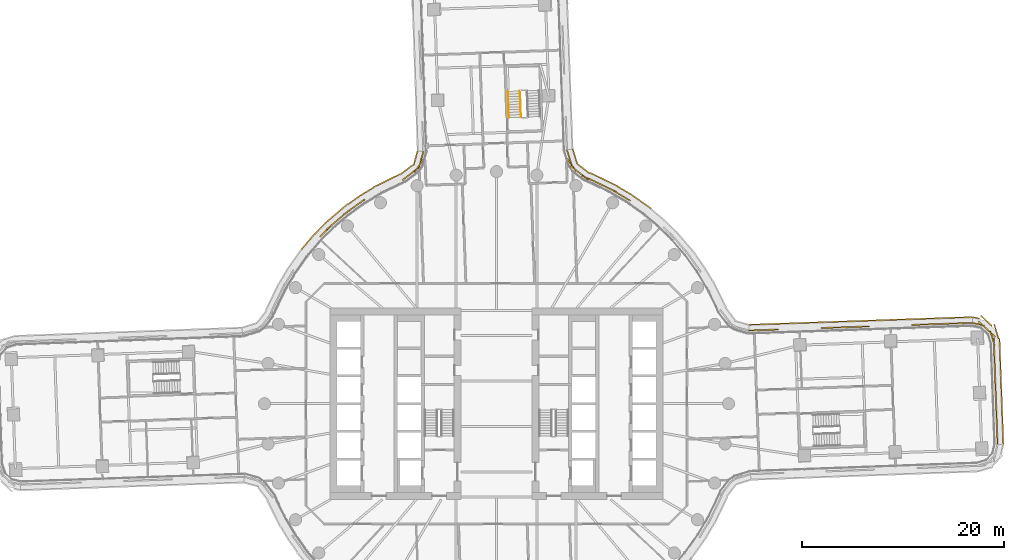
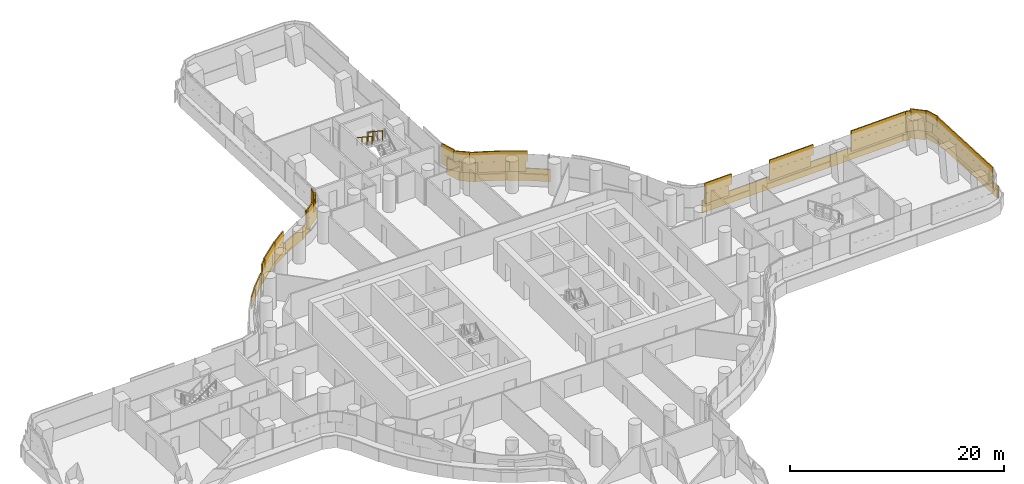
# One storey, part 30 of 31: 5 coverings, 2 railings.
"""IFC4 building model written with IfcOpenShell, lengths in metres."""

import ifcopenshell
import ifcopenshell.guid

model = None  # the IFC model being written
_history = None  # IfcOwnerHistory: only IFC2X3 demands one
_inside = {}  # id of a spatial element -> (the spatial element, [elements in it])
_under = {}  # id of a project, library or spatial element -> (it, [spatial elements below it])
_declared = {}  # id of a project -> (the project, [libraries it declares])
_typed = {}  # id of a type object -> (the type object, [elements of that type])
_made_of = {}  # id of a material, layer set ... -> (it, [elements and type objects made of it])


def new_model(schema):
    """Start an empty IFC model of exactly this schema.

    Asked for "IFC4X3", IfcOpenShell would pick the latest addendum, in which some entities
    have other attributes; the version numbers below select the first issue.
    IFC2X3 requires an IfcOwnerHistory on every rooted entity: one is made here for all.
    """
    global model, _history
    if schema == "IFC4X3":
        model = ifcopenshell.file(schema_version=(4, 3, 0, 0))
    else:
        model = ifcopenshell.file(schema=schema)
    _inside.clear()
    _under.clear()
    _declared.clear()
    _typed.clear()
    _made_of.clear()
    _history = None
    if model.schema == "IFC2X3":
        org = make("IfcOrganization", Name="unknown")
        user = make(
            "IfcPersonAndOrganization",
            ThePerson=make("IfcPerson", FamilyName="unknown"),
            TheOrganization=org,
        )
        app = make(
            "IfcApplication",
            ApplicationDeveloper=org,
            Version="unknown",
            ApplicationFullName="unknown",
            ApplicationIdentifier="unknown",
        )
        _history = make(
            "IfcOwnerHistory",
            OwningUser=user,
            OwningApplication=app,
            ChangeAction="ADDED",
            CreationDate=0,
        )
    return model


def make(cls, **values):
    """One entity of the class cls with the attributes given. An attribute that is None is left unset."""
    return model.create_entity(
        cls, **{name: value for name, value in values.items() if value is not None}
    )


def rooted(cls, **values):
    """An entity with a GlobalId (a new one), such as an element, a storey or a relation."""
    return make(cls, GlobalId=ifcopenshell.guid.new(), OwnerHistory=_history, **values)


def si_unit(unit_type, name, prefix=None):
    """IfcSIUnit, for example si_unit("LENGTHUNIT", "METRE", prefix="MILLI")."""
    return make("IfcSIUnit", UnitType=unit_type, Prefix=prefix, Name=name)


def assignment(units):
    """IfcUnitAssignment: the units of a project."""
    return None if units is None else make("IfcUnitAssignment", Units=units)


def point(xyz):
    """IfcCartesianPoint."""
    return None if xyz is None else make("IfcCartesianPoint", Coordinates=xyz)


def direction(xyz):
    """IfcDirection."""
    return None if xyz is None else make("IfcDirection", DirectionRatios=xyz)


def frame(location, z_axis=None, x_axis=None):
    """IfcAxis2Placement3D, a coordinate frame: its origin and axes. An axis left out is left unset."""
    return make(
        "IfcAxis2Placement3D",
        Location=point(location),
        Axis=direction(z_axis),
        RefDirection=direction(x_axis),
    )


def frame_2d(location, x_axis=None):
    """IfcAxis2Placement2D, a coordinate frame in the plane: its origin and x axis."""
    return make(
        "IfcAxis2Placement2D", Location=point(location), RefDirection=direction(x_axis)
    )


def origin():
    """The frame at (0, 0, 0) with its axes left unset."""
    return frame((0.0, 0.0, 0.0))


def origin_2d():
    """The frame at (0, 0) in the plane with its x axis left unset."""
    return frame_2d((0.0, 0.0))


def place(relative_to, where):
    """IfcLocalPlacement: puts the frame where relative to a parent placement (None: the world)."""
    return make(
        "IfcLocalPlacement", PlacementRelTo=relative_to, RelativePlacement=where
    )


def context(
    kind, dimensions, precision=None, world=None, true_north=None, identifier=None
):
    """IfcGeometricRepresentationContext, for example the 3D "Model" context."""
    return make(
        "IfcGeometricRepresentationContext",
        ContextIdentifier=identifier,
        ContextType=kind,
        CoordinateSpaceDimension=dimensions,
        Precision=precision,
        WorldCoordinateSystem=world,
        TrueNorth=true_north,
    )


def subcontext(parent, identifier, kind, view, scale=None):
    """IfcGeometricRepresentationSubContext, for example "Body" below "Model"."""
    return make(
        "IfcGeometricRepresentationSubContext",
        ContextIdentifier=identifier,
        ContextType=kind,
        ParentContext=parent,
        TargetScale=scale,
        TargetView=view,
    )


def project(units=None, contexts=None):
    """IfcProject with its units and contexts."""
    return rooted(
        "IfcProject",
        Name="project",
        RepresentationContexts=contexts,
        UnitsInContext=assignment(units),
    )


def spatial(cls, under=None, at=None, **own):
    """A site, building, storey or space (cls), placed at a placement, below another one or the project."""
    s = rooted(cls, ObjectPlacement=at, **own)
    if under is not None:
        _under.setdefault(under.id(), (under, []))[1].append(s)
    return s


def profile(cls, at=None, kind="AREA", **sizes):
    """A parametric profile (cls). Its sizes go by their IFC names, for example OverallWidth=200.0."""
    return make(cls, ProfileType=kind, Position=at, **sizes)


def rectangle(**sizes):
    """IfcRectangleProfileDef."""
    return profile("IfcRectangleProfileDef", **sizes)


def circle(**sizes):
    """IfcCircleProfileDef."""
    return profile("IfcCircleProfileDef", **sizes)


def extrude(swept, where, along, depth):
    """IfcExtrudedAreaSolid: the profile swept, set in the frame where, extruded along a direction by depth."""
    return make(
        "IfcExtrudedAreaSolid",
        SweptArea=swept,
        Position=where,
        ExtrudedDirection=direction(along),
        Depth=depth,
    )


def shape(context_of_items, identifier, shape_type, items):
    """IfcShapeRepresentation: the items that make up one representation, for example the "Body"."""
    return make(
        "IfcShapeRepresentation",
        ContextOfItems=context_of_items,
        RepresentationIdentifier=identifier,
        RepresentationType=shape_type,
        Items=items,
    )


def material(Name=None, Category=None):
    """IfcMaterial."""
    return make("IfcMaterial", Name=Name, Category=Category)


def layer(
    of_material, thickness, ventilated=None, Name=None, Category=None, Priority=None
):
    """IfcMaterialLayer: one layer of a wall or slab, of a material (None: an air gap)."""
    return make(
        "IfcMaterialLayer",
        Material=of_material,
        LayerThickness=thickness,
        IsVentilated=ventilated,
        Name=Name,
        Category=Category,
        Priority=Priority,
    )


def layer_set(layers, Name=None):
    """IfcMaterialLayerSet."""
    return make("IfcMaterialLayerSet", MaterialLayers=layers, LayerSetName=Name)


def made_of(thing, what):
    """Note that an element or type object is made of a material, layer set ...; save() writes the relation."""
    if what is not None:
        _made_of.setdefault(what.id(), (what, []))[1].append(thing)
    return thing


def type_object(cls, material=None, **own):
    """A type object (cls), such as IfcWallType, which elements share."""
    return made_of(rooted(cls, **own), material)


def element(
    cls,
    number,
    at=None,
    inside=None,
    cuts=None,
    type_object=None,
    material=None,
    context=None,
    identifier="Body",
    shape_type=None,
    held_by="IfcProductDefinitionShape",
    body=None,
    shapes=None,
    **own,
):
    """One element of the class cls, such as IfcWall. Its Tag is "e" and its number.

    at: its placement. inside: the storey or other place that contains it. cuts: it is an
    opening in that element (IfcRelVoidsElement). A single representation is given by context,
    identifier, shape_type and body (its items); several are given by shapes. held_by: the class
    of the entity that holds the representations. save() writes the other relations.
    """
    e = rooted(cls, Tag="e%d" % number, ObjectPlacement=at, **own)
    if body is not None:
        shapes = [shape(context, identifier, shape_type, body)]
    if shapes is not None:
        e.Representation = make(held_by, Representations=shapes)
    if inside is not None:
        _inside.setdefault(inside.id(), (inside, []))[1].append(e)
    if cuts is not None:
        rooted(
            "IfcRelVoidsElement", RelatingBuildingElement=cuts, RelatedOpeningElement=e
        )
    if type_object is not None:
        _typed.setdefault(type_object.id(), (type_object, []))[1].append(e)
    return made_of(e, material)


def aggregate(whole, parts):
    """IfcRelAggregates: a whole, such as a stair, and the parts it consists of."""
    return rooted("IfcRelAggregates", RelatingObject=whole, RelatedObjects=parts)


def save(model, path):
    """Write the relations noted so far, then the file.

    IfcRelAggregates (storeys below a building ...), IfcRelContainedInSpatialStructure (elements
    in a storey), IfcRelDefinesByType, IfcRelAssociatesMaterial and IfcRelDeclares: one each for
    every whole, place, type object, material and project.
    """
    for whole, parts in _under.values():
        aggregate(whole, parts)
    for where, things in _inside.values():
        rooted(
            "IfcRelContainedInSpatialStructure",
            RelatedElements=things,
            RelatingStructure=where,
        )
    for kind, things in _typed.values():
        rooted("IfcRelDefinesByType", RelatedObjects=things, RelatingType=kind)
    for what, things in _made_of.values():
        rooted("IfcRelAssociatesMaterial", RelatedObjects=things, RelatingMaterial=what)
    for by, libraries in _declared.values():
        rooted("IfcRelDeclares", RelatingContext=by, RelatedDefinitions=libraries)
    model.write(path)


model = new_model("IFC4")

# Units and contexts
model_context = context("Model", 3, precision=1e-05, world=origin(), true_north=direction((0.0, 1.0)))
body_context = subcontext(model_context, "Body", "Model", "MODEL_VIEW")
ifc_project = project(units=[si_unit("LENGTHUNIT", "METRE"), si_unit("AREAUNIT", "SQUARE_METRE"), si_unit("VOLUMEUNIT", "CUBIC_METRE"), si_unit("PLANEANGLEUNIT", "RADIAN"), si_unit("MASSUNIT", "GRAM", prefix="KILO")], contexts=[model_context])

# Site, building, storey
site_placement = place(None, origin())
site = spatial("IfcSite", under=ifc_project, at=site_placement, CompositionType="ELEMENT")
building_placement = place(site_placement, origin())
building = spatial("IfcBuilding", under=site, at=building_placement, Name="Tamarind Cross Interchange Tower", CompositionType="ELEMENT")
storey_placement = place(building_placement, frame((0.0, 0.0, 41.5)))
storey = spatial("IfcBuildingStorey", under=building, at=storey_placement, Name="L08", CompositionType="ELEMENT", Elevation=41.5)

# Railings
ifc_material_1 = material(Name="Stair guard")
railing_type_1 = type_object("IfcRailingType", Name="Stair guard", PredefinedType="GUARDRAIL", material=ifc_material_1)
railing_1_placement = place(storey_placement, frame((2.32373046875, 30.99072265625, 2.04541015625)))
element("IfcRailing", 1, at=railing_1_placement, inside=storey, type_object=railing_type_1, Name="L08 ST4 stair guard 3", PredefinedType="GUARDRAIL", context=body_context, shape_type="SweptSolid", body=[
    extrude(circle(Radius=0.02392578125, at=origin_2d()), frame((0.0, 0.0, 1.076171875), z_axis=(0.03046795916, -0.835748683852, 0.548266213535), x_axis=(0.999336145809, 0.036431685105, 0.0)), (0.0, 0.0, 1.0), 3.109130859375),
    extrude(circle(Radius=0.02099609375, at=origin_2d()), origin(), (0.0, 0.0, 1.0), 1.052001953125),
    extrude(circle(Radius=0.02099609375, at=origin_2d()), frame((0.031494140625, -0.8662109375, 0.568115234375)), (0.0, 0.0, 1.0), 1.052001953125),
    extrude(circle(Radius=0.02099609375, at=origin_2d()), frame((0.063232421875, -1.732177734375, 1.136474609375)), (0.0, 0.0, 1.0), 1.052001953125),
    extrude(circle(Radius=0.02099609375, at=origin_2d()), frame((0.0947265625, -2.598388671875, 1.70458984375)), (0.0, 0.0, 1.0), 1.052001953125),
])
ifc_material_2 = material(Name="Stair handrail")
railing_type_2 = type_object("IfcRailingType", Name="Stair handrail", PredefinedType="HANDRAIL", material=ifc_material_2)
railing_2_placement = place(storey_placement, frame((1.12451171875, 30.947021484375, 2.04541015625)))
element("IfcRailing", 2, at=railing_2_placement, inside=storey, type_object=railing_type_2, Name="L08 ST4 stair handrail 2", PredefinedType="HANDRAIL", context=body_context, shape_type="SweptSolid", body=[
    extrude(circle(Radius=0.02392578125, at=origin_2d()), frame((0.0, 0.0, 0.8759765625), z_axis=(0.03046795916, -0.835748683852, 0.548266213535), x_axis=(0.999336145809, 0.036431685105, 0.0)), (0.0, 0.0, 1.0), 3.109130859375),
    extrude(circle(Radius=0.02099609375, at=origin_2d()), origin(), (0.0, 0.0, 1.0), 0.851806640625),
    extrude(circle(Radius=0.02099609375, at=origin_2d()), frame((0.031494140625, -0.8662109375, 0.568115234375)), (0.0, 0.0, 1.0), 0.851806640625),
    extrude(circle(Radius=0.02099609375, at=origin_2d()), frame((0.063232421875, -1.732177734375, 1.136474609375)), (0.0, 0.0, 1.0), 0.851806640625),
    extrude(circle(Radius=0.02099609375, at=origin_2d()), frame((0.0947265625, -2.598388671875, 1.70458984375)), (0.0, 0.0, 1.0), 0.851806640625),
])

# Coverings
ifc_material_3 = material(Name="Terracotta", Category="masonry")
ifc_layer = layer(ifc_material_3, 0.1201171875)
ifc_layer_set = layer_set([ifc_layer], Name="Terracotta")
covering_type = type_object("IfcCoveringType", Name="Terracotta baguette screen unit", PredefinedType="MOLDING", material=ifc_layer_set)
covering_1_placement = place(storey_placement, origin())
element("IfcCovering", 3, at=covering_1_placement, inside=storey, type_object=covering_type, Name="SCR-L08-08-00", PredefinedType="MOLDING", context=body_context, shape_type="SweptSolid", body=[
    extrude(rectangle(XDim=1.510009765625, YDim=0.1201171875, at=origin_2d()), frame((49.629150390625, -3.256591796875, 1.404052734375), z_axis=(0.0, 0.0, 1.0), x_axis=(-0.036462315768, 0.999335028671, 0.0)), (0.0, 0.0, 1.0), 1.1669921875),
    extrude(rectangle(XDim=1.52001953125, YDim=0.1201171875, at=origin_2d()), frame((49.574462890625, -1.757568359375, 1.404052734375), z_axis=(0.0, 0.0, 1.0), x_axis=(-0.036462315768, 0.999335028671, 0.0)), (0.0, 0.0, 1.0), 1.1669921875),
    extrude(rectangle(XDim=1.52001953125, YDim=0.1201171875, at=origin_2d()), frame((49.519775390625, -0.258544921875, 1.404052734375), z_axis=(0.0, 0.0, 1.0), x_axis=(-0.036462315768, 0.999335028671, 0.0)), (0.0, 0.0, 1.0), 1.1669921875),
    extrude(rectangle(XDim=1.52001953125, YDim=0.1201171875, at=origin_2d()), frame((49.465087890625, 1.240478515625, 1.404052734375), z_axis=(0.0, 0.0, 1.0), x_axis=(-0.036462315768, 0.999335028671, 0.0)), (0.0, 0.0, 1.0), 1.1669921875),
    extrude(rectangle(XDim=1.52001953125, YDim=0.1201171875, at=origin_2d()), frame((49.410400390625, 2.739501953125, 1.404052734375), z_axis=(0.0, 0.0, 1.0), x_axis=(-0.036462315768, 0.999335028671, 0.0)), (0.0, 0.0, 1.0), 1.1669921875),
    extrude(rectangle(XDim=1.52001953125, YDim=0.1201171875, at=origin_2d()), frame((49.355712890625, 4.238525390625, 1.404052734375), z_axis=(0.0, 0.0, 1.0), x_axis=(-0.036462315768, 0.999335028671, 0.0)), (0.0, 0.0, 1.0), 1.1669921875),
    extrude(rectangle(XDim=1.52001953125, YDim=0.1201171875, at=origin_2d()), frame((49.301025390625, 5.737548828125, 1.404052734375), z_axis=(0.0, 0.0, 1.0), x_axis=(-0.036462315768, 0.999335028671, 0.0)), (0.0, 0.0, 1.0), 1.1669921875),
    extrude(rectangle(XDim=1.52001953125, YDim=0.1201171875, at=origin_2d()), frame((48.86279296875, 7.140380859375, 1.404052734375), z_axis=(0.0, 0.0, 1.0), x_axis=(-0.732419326188, 0.680853824713, 0.0)), (0.0, 0.0, 1.0), 1.1669921875),
    extrude(rectangle(XDim=1.259521484375, YDim=0.1201171875, at=origin_2d()), frame((47.74755859375, 7.872314453125, 1.404052734375), z_axis=(0.0, 0.0, 1.0), x_axis=(-0.974720655058, 0.223427045372, 0.0)), (0.0, 0.0, 1.0), 1.1669921875),
    extrude(rectangle(XDim=0.760009765625, YDim=0.1201171875, at=origin_2d()), frame((49.642822265625, -3.63134765625, 2.5791015625), z_axis=(0.0, 0.0, 1.0), x_axis=(-0.036462315768, 0.999335028671, 0.0)), (0.0, 0.0, 1.0), 1.1669921875),
    extrude(rectangle(XDim=1.52001953125, YDim=0.1201171875, at=origin_2d()), frame((49.601806640625, -2.507080078125, 2.5791015625), z_axis=(0.0, 0.0, 1.0), x_axis=(-0.036462315768, 0.999335028671, 0.0)), (0.0, 0.0, 1.0), 1.1669921875),
    extrude(rectangle(XDim=1.52001953125, YDim=0.1201171875, at=origin_2d()), frame((49.547119140625, -1.008056640625, 2.5791015625), z_axis=(0.0, 0.0, 1.0), x_axis=(-0.036462315768, 0.999335028671, 0.0)), (0.0, 0.0, 1.0), 1.1669921875),
    extrude(rectangle(XDim=1.52001953125, YDim=0.1201171875, at=origin_2d()), frame((49.492431640625, 0.490966796875, 2.5791015625), z_axis=(0.0, 0.0, 1.0), x_axis=(-0.036462315768, 0.999335028671, 0.0)), (0.0, 0.0, 1.0), 1.1669921875),
    extrude(rectangle(XDim=1.52001953125, YDim=0.1201171875, at=origin_2d()), frame((49.437744140625, 1.989990234375, 2.5791015625), z_axis=(0.0, 0.0, 1.0), x_axis=(-0.036462315768, 0.999335028671, 0.0)), (0.0, 0.0, 1.0), 1.1669921875),
    extrude(rectangle(XDim=1.52001953125, YDim=0.1201171875, at=origin_2d()), frame((49.383056640625, 3.489013671875, 2.5791015625), z_axis=(0.0, 0.0, 1.0), x_axis=(-0.036462315768, 0.999335028671, 0.0)), (0.0, 0.0, 1.0), 1.1669921875),
    extrude(rectangle(XDim=1.52001953125, YDim=0.1201171875, at=origin_2d()), frame((49.328369140625, 4.988037109375, 2.5791015625), z_axis=(0.0, 0.0, 1.0), x_axis=(-0.036462315768, 0.999335028671, 0.0)), (0.0, 0.0, 1.0), 1.1669921875),
    extrude(rectangle(XDim=1.52001953125, YDim=0.1201171875, at=origin_2d()), frame((49.151123046875, 6.46630859375, 2.5791015625), z_axis=(0.0, 0.0, 1.0), x_axis=(-0.293866830345, 0.955846371559, 0.0)), (0.0, 0.0, 1.0), 1.1669921875),
    extrude(rectangle(XDim=1.52001953125, YDim=0.1201171875, at=origin_2d()), frame((48.3134765625, 7.651123046875, 2.5791015625), z_axis=(0.0, 0.0, 1.0), x_axis=(-0.732419326188, 0.680853824713, 0.0)), (0.0, 0.0, 1.0), 1.1669921875),
    extrude(rectangle(XDim=0.509521484375, YDim=0.1201171875, at=origin_2d()), frame((47.382080078125, 7.9560546875, 2.5791015625), z_axis=(0.0, 0.0, 1.0), x_axis=(-0.974720655058, 0.223427045372, 0.0)), (0.0, 0.0, 1.0), 1.1669921875),
    extrude(rectangle(XDim=1.510009765625, YDim=0.1201171875, at=origin_2d()), frame((50.20556640625, -3.30615234375, 0.00390625), z_axis=(0.0, 0.0, 1.0), x_axis=(-0.036462315768, 0.999335028671, 0.0)), (0.0, 0.0, 1.0), 1.39208984375),
    extrude(rectangle(XDim=1.52001953125, YDim=0.1201171875, at=origin_2d()), frame((50.15087890625, -1.812255859375, 0.00390625), z_axis=(0.0, 0.0, 1.0), x_axis=(-0.036462315768, 0.999335028671, 0.0)), (0.0, 0.0, 1.0), 1.39208984375),
    extrude(rectangle(XDim=1.52001953125, YDim=0.1201171875, at=origin_2d()), frame((50.09619140625, -0.313232421875, 0.00390625), z_axis=(0.0, 0.0, 1.0), x_axis=(-0.036462315768, 0.999335028671, 0.0)), (0.0, 0.0, 1.0), 1.39208984375),
    extrude(rectangle(XDim=1.52001953125, YDim=0.1201171875, at=origin_2d()), frame((50.04150390625, 1.185791015625, 0.00390625), z_axis=(0.0, 0.0, 1.0), x_axis=(-0.036462315768, 0.999335028671, 0.0)), (0.0, 0.0, 1.0), 1.39208984375),
    extrude(rectangle(XDim=1.52001953125, YDim=0.1201171875, at=origin_2d()), frame((49.98681640625, 2.684814453125, 0.00390625), z_axis=(0.0, 0.0, 1.0), x_axis=(-0.036462315768, 0.999335028671, 0.0)), (0.0, 0.0, 1.0), 1.39208984375),
    extrude(rectangle(XDim=1.52001953125, YDim=0.1201171875, at=origin_2d()), frame((49.93212890625, 4.183837890625, 0.00390625), z_axis=(0.0, 0.0, 1.0), x_axis=(-0.036462315768, 0.999335028671, 0.0)), (0.0, 0.0, 1.0), 1.39208984375),
    extrude(rectangle(XDim=1.52001953125, YDim=0.1201171875, at=origin_2d()), frame((49.87744140625, 5.682861328125, 0.00390625), z_axis=(0.0, 0.0, 1.0), x_axis=(-0.036462315768, 0.999335028671, 0.0)), (0.0, 0.0, 1.0), 1.39208984375),
    extrude(rectangle(XDim=1.52001953125, YDim=0.1201171875, at=origin_2d()), frame((49.546142578125, 7.135009765625, 0.00390625), z_axis=(0.0, 0.0, 1.0), x_axis=(-0.293866830345, 0.955846371559, 0.0)), (0.0, 0.0, 1.0), 1.39208984375),
    extrude(rectangle(XDim=1.52001953125, YDim=0.1201171875, at=origin_2d()), frame((48.546142578125, 8.21826171875, 0.00390625), z_axis=(0.0, 0.0, 1.0), x_axis=(-0.732419326188, 0.680853824713, 0.0)), (0.0, 0.0, 1.0), 1.39208984375),
    extrude(rectangle(XDim=0.676513671875, YDim=0.1201171875, at=origin_2d()), frame((47.5234375, 8.5126953125, 0.00390625), z_axis=(0.0, 0.0, 1.0), x_axis=(-0.974720655058, 0.223427045372, 0.0)), (0.0, 0.0, 1.0), 1.39208984375),
])
covering_2_placement = place(storey_placement, origin())
element("IfcCovering", 4, at=covering_2_placement, inside=storey, type_object=covering_type, Name="SCR-L08-09-00", PredefinedType="MOLDING", context=body_context, shape_type="SweptSolid", body=[
    extrude(rectangle(XDim=1.510009765625, YDim=0.1201171875, at=origin_2d()), frame((46.38916015625, 7.986083984375, 1.404052734375), z_axis=(0.0, 0.0, 1.0), x_axis=(-0.999410116016, -0.034342684894, 0.0)), (0.0, 0.0, 1.0), 1.1669921875),
    extrude(rectangle(XDim=1.52001953125, YDim=0.1201171875, at=origin_2d()), frame((44.889892578125, 7.9345703125, 1.404052734375), z_axis=(0.0, 0.0, 1.0), x_axis=(-0.999410116016, -0.034342684894, 0.0)), (0.0, 0.0, 1.0), 1.1669921875),
    extrude(rectangle(XDim=1.52001953125, YDim=0.1201171875, at=origin_2d()), frame((43.390869140625, 7.883056640625, 1.404052734375), z_axis=(0.0, 0.0, 1.0), x_axis=(-0.999410116016, -0.034342684894, 0.0)), (0.0, 0.0, 1.0), 1.1669921875),
    extrude(rectangle(XDim=1.52001953125, YDim=0.1201171875, at=origin_2d()), frame((41.891845703125, 7.83154296875, 1.404052734375), z_axis=(0.0, 0.0, 1.0), x_axis=(-0.999410116016, -0.034342684894, 0.0)), (0.0, 0.0, 1.0), 1.1669921875),
    extrude(rectangle(XDim=0.760009765625, YDim=0.1201171875, at=origin_2d()), frame((46.763916015625, 7.9990234375, 2.5791015625), z_axis=(0.0, 0.0, 1.0), x_axis=(-0.999410116016, -0.034342684894, 0.0)), (0.0, 0.0, 1.0), 1.1669921875),
    extrude(rectangle(XDim=1.52001953125, YDim=0.1201171875, at=origin_2d()), frame((45.6396484375, 7.96044921875, 2.5791015625), z_axis=(0.0, 0.0, 1.0), x_axis=(-0.999410116016, -0.034342684894, 0.0)), (0.0, 0.0, 1.0), 1.1669921875),
    extrude(rectangle(XDim=1.52001953125, YDim=0.1201171875, at=origin_2d()), frame((44.140380859375, 7.908935546875, 2.5791015625), z_axis=(0.0, 0.0, 1.0), x_axis=(-0.999410116016, -0.034342684894, 0.0)), (0.0, 0.0, 1.0), 1.1669921875),
    extrude(rectangle(XDim=1.52001953125, YDim=0.1201171875, at=origin_2d()), frame((42.641357421875, 7.857421875, 2.5791015625), z_axis=(0.0, 0.0, 1.0), x_axis=(-0.999410116016, -0.034342684894, 0.0)), (0.0, 0.0, 1.0), 1.1669921875),
    extrude(rectangle(XDim=0.76123046875, YDim=0.1201171875, at=origin_2d()), frame((41.516357421875, 7.818603515625, 2.5791015625), z_axis=(0.0, 0.0, 1.0), x_axis=(-0.999410116016, -0.034342684894, 0.0)), (0.0, 0.0, 1.0), 1.1669921875),
    extrude(rectangle(XDim=1.510009765625, YDim=0.1201171875, at=origin_2d()), frame((46.439208984375, 8.562255859375, 0.00390625), z_axis=(0.0, 0.0, 1.0), x_axis=(-0.999410116016, -0.034342684894, 0.0)), (0.0, 0.0, 1.0), 1.39208984375),
    extrude(rectangle(XDim=1.52001953125, YDim=0.1201171875, at=origin_2d()), frame((44.945068359375, 8.510986328125, 0.00390625), z_axis=(0.0, 0.0, 1.0), x_axis=(-0.999410116016, -0.034342684894, 0.0)), (0.0, 0.0, 1.0), 1.39208984375),
    extrude(rectangle(XDim=1.52001953125, YDim=0.1201171875, at=origin_2d()), frame((43.446044921875, 8.45947265625, 0.00390625), z_axis=(0.0, 0.0, 1.0), x_axis=(-0.999410116016, -0.034342684894, 0.0)), (0.0, 0.0, 1.0), 1.39208984375),
    extrude(rectangle(XDim=1.52001953125, YDim=0.1201171875, at=origin_2d()), frame((41.947021484375, 8.407958984375, 0.00390625), z_axis=(0.0, 0.0, 1.0), x_axis=(-0.999410116016, -0.034342684894, 0.0)), (0.0, 0.0, 1.0), 1.39208984375),
    extrude(rectangle(XDim=1.52001953125, YDim=0.1201171875, at=origin_2d()), frame((40.44775390625, 8.3564453125, 0.00390625), z_axis=(0.0, 0.0, 1.0), x_axis=(-0.999410116016, -0.034342684894, 0.0)), (0.0, 0.0, 1.0), 1.39208984375),
    extrude(rectangle(XDim=0.606201171875, YDim=0.1201171875, at=origin_2d()), frame((39.4052734375, 8.320556640625, 0.00390625), z_axis=(0.0, 0.0, 1.0), x_axis=(-0.999410116016, -0.034342684894, 0.0)), (0.0, 0.0, 1.0), 1.39208984375),
])
covering_3_placement = place(storey_placement, origin())
element("IfcCovering", 5, at=covering_3_placement, inside=storey, type_object=covering_type, Name="SCR-L08-09-01", PredefinedType="MOLDING", context=body_context, shape_type="SweptSolid", body=[
    extrude(rectangle(XDim=1.52001953125, YDim=0.1201171875, at=origin_2d()), frame((35.895263671875, 7.62548828125, 1.404052734375), z_axis=(0.0, 0.0, 1.0), x_axis=(-0.999410116016, -0.034342684894, 0.0)), (0.0, 0.0, 1.0), 1.1669921875),
    extrude(rectangle(XDim=1.52001953125, YDim=0.1201171875, at=origin_2d()), frame((34.396240234375, 7.573974609375, 1.404052734375), z_axis=(0.0, 0.0, 1.0), x_axis=(-0.999410116016, -0.034342684894, 0.0)), (0.0, 0.0, 1.0), 1.1669921875),
    extrude(rectangle(XDim=1.52001953125, YDim=0.1201171875, at=origin_2d()), frame((32.89697265625, 7.5224609375, 1.404052734375), z_axis=(0.0, 0.0, 1.0), x_axis=(-0.999410116016, -0.034342684894, 0.0)), (0.0, 0.0, 1.0), 1.1669921875),
    extrude(rectangle(XDim=1.52001953125, YDim=0.1201171875, at=origin_2d()), frame((26.900634765625, 7.31640625, 1.404052734375), z_axis=(0.0, 0.0, 1.0), x_axis=(-0.999410116016, -0.034342684894, 0.0)), (0.0, 0.0, 1.0), 1.1669921875),
    extrude(rectangle(XDim=1.177490234375, YDim=0.1201171875, at=origin_2d()), frame((25.567626953125, 7.270751953125, 1.404052734375), z_axis=(0.0, 0.0, 1.0), x_axis=(-0.999410116016, -0.034342684894, 0.0)), (0.0, 0.0, 1.0), 1.1669921875),
    extrude(rectangle(XDim=1.05859375, YDim=0.1201171875, at=origin_2d()), frame((36.41943359375, 7.6435546875, 2.5791015625), z_axis=(0.0, 0.0, 1.0), x_axis=(-0.999410116016, -0.034342684894, 0.0)), (0.0, 0.0, 1.0), 1.1669921875),
    extrude(rectangle(XDim=1.52001953125, YDim=0.1201171875, at=origin_2d()), frame((35.145751953125, 7.599853515625, 2.5791015625), z_axis=(0.0, 0.0, 1.0), x_axis=(-0.999410116016, -0.034342684894, 0.0)), (0.0, 0.0, 1.0), 1.1669921875),
    extrude(rectangle(XDim=1.52001953125, YDim=0.1201171875, at=origin_2d()), frame((33.646728515625, 7.54833984375, 2.5791015625), z_axis=(0.0, 0.0, 1.0), x_axis=(-0.999410116016, -0.034342684894, 0.0)), (0.0, 0.0, 1.0), 1.1669921875),
    extrude(rectangle(XDim=0.760498046875, YDim=0.1201171875, at=origin_2d()), frame((32.52197265625, 7.509765625, 2.5791015625), z_axis=(0.0, 0.0, 1.0), x_axis=(-0.999410116016, -0.034342684894, 0.0)), (0.0, 0.0, 1.0), 1.1669921875),
    extrude(rectangle(XDim=1.0595703125, YDim=0.1201171875, at=origin_2d()), frame((27.425048828125, 7.33447265625, 2.5791015625), z_axis=(0.0, 0.0, 1.0), x_axis=(-0.999410116016, -0.034342684894, 0.0)), (0.0, 0.0, 1.0), 1.1669921875),
    extrude(rectangle(XDim=1.52001953125, YDim=0.1201171875, at=origin_2d()), frame((26.151123046875, 7.290771484375, 2.5791015625), z_axis=(0.0, 0.0, 1.0), x_axis=(-0.999410116016, -0.034342684894, 0.0)), (0.0, 0.0, 1.0), 1.1669921875),
    extrude(rectangle(XDim=0.427490234375, YDim=0.1201171875, at=origin_2d()), frame((25.19287109375, 7.2578125, 2.5791015625), z_axis=(0.0, 0.0, 1.0), x_axis=(-0.999410116016, -0.034342684894, 0.0)), (0.0, 0.0, 1.0), 1.1669921875),
    extrude(rectangle(XDim=0.913818359375, YDim=0.1201171875, at=origin_2d()), frame((38.645751953125, 8.29443359375, 0.00390625), z_axis=(0.0, 0.0, 1.0), x_axis=(-0.999410116016, -0.034342684894, 0.0)), (0.0, 0.0, 1.0), 1.39208984375),
    extrude(rectangle(XDim=1.52001953125, YDim=0.1201171875, at=origin_2d()), frame((37.44970703125, 8.25341796875, 0.00390625), z_axis=(0.0, 0.0, 1.0), x_axis=(-0.999410116016, -0.034342684894, 0.0)), (0.0, 0.0, 1.0), 1.39208984375),
    extrude(rectangle(XDim=1.52001953125, YDim=0.1201171875, at=origin_2d()), frame((35.950439453125, 8.201904296875, 0.00390625), z_axis=(0.0, 0.0, 1.0), x_axis=(-0.999410116016, -0.034342684894, 0.0)), (0.0, 0.0, 1.0), 1.39208984375),
    extrude(rectangle(XDim=1.52001953125, YDim=0.1201171875, at=origin_2d()), frame((34.451416015625, 8.150390625, 0.00390625), z_axis=(0.0, 0.0, 1.0), x_axis=(-0.999410116016, -0.034342684894, 0.0)), (0.0, 0.0, 1.0), 1.39208984375),
    extrude(rectangle(XDim=1.52001953125, YDim=0.1201171875, at=origin_2d()), frame((32.9521484375, 8.098876953125, 0.00390625), z_axis=(0.0, 0.0, 1.0), x_axis=(-0.999410116016, -0.034342684894, 0.0)), (0.0, 0.0, 1.0), 1.39208984375),
    extrude(rectangle(XDim=1.52001953125, YDim=0.1201171875, at=origin_2d()), frame((31.453125, 8.04736328125, 0.00390625), z_axis=(0.0, 0.0, 1.0), x_axis=(-0.999410116016, -0.034342684894, 0.0)), (0.0, 0.0, 1.0), 1.39208984375),
    extrude(rectangle(XDim=1.52001953125, YDim=0.1201171875, at=origin_2d()), frame((29.9541015625, 7.995849609375, 0.00390625), z_axis=(0.0, 0.0, 1.0), x_axis=(-0.999410116016, -0.034342684894, 0.0)), (0.0, 0.0, 1.0), 1.39208984375),
    extrude(rectangle(XDim=1.52001953125, YDim=0.1201171875, at=origin_2d()), frame((28.454833984375, 7.9443359375, 0.00390625), z_axis=(0.0, 0.0, 1.0), x_axis=(-0.999410116016, -0.034342684894, 0.0)), (0.0, 0.0, 1.0), 1.39208984375),
    extrude(rectangle(XDim=1.52001953125, YDim=0.1201171875, at=origin_2d()), frame((26.955810546875, 7.892822265625, 0.00390625), z_axis=(0.0, 0.0, 1.0), x_axis=(-0.999410116016, -0.034342684894, 0.0)), (0.0, 0.0, 1.0), 1.39208984375),
    extrude(rectangle(XDim=1.16357421875, YDim=0.1201171875, at=origin_2d()), frame((25.634765625, 7.847412109375, 0.00390625), z_axis=(0.0, 0.0, 1.0), x_axis=(-0.999410116016, -0.034342684894, 0.0)), (0.0, 0.0, 1.0), 1.39208984375),
])
covering_4_placement = place(storey_placement, origin())
element("IfcCovering", 6, at=covering_4_placement, inside=storey, type_object=covering_type, Name="SCR-L08-10-01", PredefinedType="MOLDING", context=body_context, shape_type="SweptSolid", body=[
    extrude(rectangle(XDim=1.52001953125, YDim=0.1201171875, at=origin_2d()), frame((12.492919921875, 20.571044921875, 1.404052734375), z_axis=(0.0, 0.0, 1.0), x_axis=(-0.861248933065, 0.508183308752, 0.0)), (0.0, 0.0, 1.0), 1.1669921875),
    extrude(rectangle(XDim=1.52001953125, YDim=0.1201171875, at=origin_2d()), frame((11.193115234375, 21.31884765625, 1.404052734375), z_axis=(0.0, 0.0, 1.0), x_axis=(-0.900272776334, 0.435326231914, 0.0)), (0.0, 0.0, 1.0), 1.1669921875),
    extrude(rectangle(XDim=1.52001953125, YDim=0.1201171875, at=origin_2d()), frame((9.8427734375, 21.971923828125, 1.404052734375), z_axis=(0.0, 0.0, 1.0), x_axis=(-0.900272776334, 0.435326231914, 0.0)), (0.0, 0.0, 1.0), 1.1669921875),
    extrude(rectangle(XDim=1.52001953125, YDim=0.1201171875, at=origin_2d()), frame((8.510986328125, 22.6474609375, 1.404052734375), z_axis=(0.0, 0.0, 1.0), x_axis=(-0.788392682786, 0.615172315477, 0.0)), (0.0, 0.0, 1.0), 1.1669921875),
    extrude(rectangle(XDim=1.52001953125, YDim=0.1201171875, at=origin_2d()), frame((7.438720703125, 23.67578125, 1.404052734375), z_axis=(0.0, 0.0, 1.0), x_axis=(-0.579094862794, 0.815260166993, 0.0)), (0.0, 0.0, 1.0), 1.1669921875),
    extrude(rectangle(XDim=0.8056640625, YDim=0.1201171875, at=origin_2d()), frame((7.097412109375, 24.771484375, 1.404052734375), z_axis=(0.0, 0.0, 1.0), x_axis=(-0.295921514349, 0.955212257745, 0.0)), (0.0, 0.0, 1.0), 1.1669921875),
    extrude(rectangle(XDim=0.90576171875, YDim=0.1201171875, at=origin_2d()), frame((12.878662109375, 20.343505859375, 2.5791015625), z_axis=(0.0, 0.0, 1.0), x_axis=(-0.861248933065, 0.508183308752, 0.0)), (0.0, 0.0, 1.0), 1.1669921875),
    extrude(rectangle(XDim=1.52001953125, YDim=0.1201171875, at=origin_2d()), frame((11.846923828125, 20.9521484375, 2.5791015625), z_axis=(0.0, 0.0, 1.0), x_axis=(-0.861248933065, 0.508183308752, 0.0)), (0.0, 0.0, 1.0), 1.1669921875),
    extrude(rectangle(XDim=1.52001953125, YDim=0.1201171875, at=origin_2d()), frame((10.51806640625, 21.645263671875, 2.5791015625), z_axis=(0.0, 0.0, 1.0), x_axis=(-0.900272776334, 0.435326231914, 0.0)), (0.0, 0.0, 1.0), 1.1669921875),
    extrude(rectangle(XDim=1.52001953125, YDim=0.1201171875, at=origin_2d()), frame((9.1611328125, 22.2841796875, 2.5791015625), z_axis=(0.0, 0.0, 1.0), x_axis=(-0.914475969182, 0.404640212769, 0.0)), (0.0, 0.0, 1.0), 1.1669921875),
    extrude(rectangle(XDim=1.52001953125, YDim=0.1201171875, at=origin_2d()), frame((7.919677734375, 23.10888671875, 2.5791015625), z_axis=(0.0, 0.0, 1.0), x_axis=(-0.788392682786, 0.615172315477, 0.0)), (0.0, 0.0, 1.0), 1.1669921875),
    extrude(rectangle(XDim=1.52001953125, YDim=0.1201171875, at=origin_2d()), frame((7.21533203125, 24.391357421875, 2.5791015625), z_axis=(0.0, 0.0, 1.0), x_axis=(-0.295921514349, 0.955212257745, 0.0)), (0.0, 0.0, 1.0), 1.1669921875),
    extrude(rectangle(XDim=0.0556640625, YDim=0.1201171875, at=origin_2d()), frame((6.986572265625, 25.129638671875, 2.5791015625), z_axis=(0.0, 0.0, 1.0), x_axis=(-0.295921514349, 0.955212257745, 0.0)), (0.0, 0.0, 1.0), 1.1669921875),
    extrude(rectangle(XDim=1.076904296875, YDim=0.1201171875, at=origin_2d()), frame((14.886962890625, 19.650146484375, 0.00390625), z_axis=(0.0, 0.0, 1.0), x_axis=(-0.816341886298, 0.577568978284, 0.0)), (0.0, 0.0, 1.0), 1.39208984375),
    extrude(rectangle(XDim=1.52001953125, YDim=0.1201171875, at=origin_2d()), frame((13.84326171875, 20.388427734375, 0.00390625), z_axis=(0.0, 0.0, 1.0), x_axis=(-0.816341886298, 0.577568978284, 0.0)), (0.0, 0.0, 1.0), 1.39208984375),
    extrude(rectangle(XDim=1.52001953125, YDim=0.1201171875, at=origin_2d()), frame((12.57568359375, 21.1884765625, 0.00390625), z_axis=(0.0, 0.0, 1.0), x_axis=(-0.861248933065, 0.508183308752, 0.0)), (0.0, 0.0, 1.0), 1.39208984375),
    extrude(rectangle(XDim=1.52001953125, YDim=0.1201171875, at=origin_2d()), frame((11.267578125, 21.92041015625, 0.00390625), z_axis=(0.0, 0.0, 1.0), x_axis=(-0.900272776334, 0.435326231914, 0.0)), (0.0, 0.0, 1.0), 1.39208984375),
    extrude(rectangle(XDim=1.52001953125, YDim=0.1201171875, at=origin_2d()), frame((9.917236328125, 22.573486328125, 0.00390625), z_axis=(0.0, 0.0, 1.0), x_axis=(-0.900272776334, 0.435326231914, 0.0)), (0.0, 0.0, 1.0), 1.39208984375),
    extrude(rectangle(XDim=1.52001953125, YDim=0.1201171875, at=origin_2d()), frame((8.61376953125, 23.295166015625, 0.00390625), z_axis=(0.0, 0.0, 1.0), x_axis=(-0.788392682786, 0.615172315477, 0.0)), (0.0, 0.0, 1.0), 1.39208984375),
    extrude(rectangle(XDim=1.52001953125, YDim=0.1201171875, at=origin_2d()), frame((7.78759765625, 24.48388671875, 0.00390625), z_axis=(0.0, 0.0, 1.0), x_axis=(-0.295921514349, 0.955212257745, 0.0)), (0.0, 0.0, 1.0), 1.39208984375),
    extrude(rectangle(XDim=0.060546875, YDim=0.1201171875, at=origin_2d()), frame((7.5595703125, 25.2197265625, 0.00390625), z_axis=(0.0, 0.0, 1.0), x_axis=(-0.295921514349, 0.955212257745, 0.0)), (0.0, 0.0, 1.0), 1.39208984375),
])
covering_5_placement = place(storey_placement, origin())
element("IfcCovering", 7, at=covering_5_placement, inside=storey, type_object=covering_type, Name="SCR-L08-14-00", PredefinedType="MOLDING", context=body_context, shape_type="SweptSolid", body=[
    extrude(rectangle(XDim=1.510009765625, YDim=0.1201171875, at=origin_2d()), frame((-7.452392578125, 24.261962890625, 1.404052734375), z_axis=(0.0, 0.0, 1.0), x_axis=(-0.268984584131, -0.963144482152, 0.0)), (0.0, 0.0, 1.0), 1.1669921875),
    extrude(rectangle(XDim=1.52001953125, YDim=0.1201171875, at=origin_2d()), frame((-8.201171875, 23.015869140625, 1.404052734375), z_axis=(0.0, 0.0, 1.0), x_axis=(-0.794558864286, -0.607187130285, 0.0)), (0.0, 0.0, 1.0), 1.1669921875),
    extrude(rectangle(XDim=0.66748046875, YDim=0.1201171875, at=origin_2d()), frame((-9.058349609375, 22.36083984375, 1.404052734375), z_axis=(0.0, 0.0, 1.0), x_axis=(-0.794558864286, -0.607187130285, 0.0)), (0.0, 0.0, 1.0), 1.1669921875),
    extrude(rectangle(XDim=1.15234375, YDim=0.1201171875, at=origin_2d()), frame((-13.521728515625, 19.9189453125, 1.404052734375), z_axis=(0.0, 0.0, 1.0), x_axis=(-0.811340475102, -0.584573890505, 0.0)), (0.0, 0.0, 1.0), 1.1669921875),
    extrude(rectangle(XDim=1.52001953125, YDim=0.1201171875, at=origin_2d()), frame((-14.59375, 19.146484375, 1.404052734375), z_axis=(0.0, 0.0, 1.0), x_axis=(-0.811340475102, -0.584573890505, 0.0)), (0.0, 0.0, 1.0), 1.1669921875),
    extrude(rectangle(XDim=1.52001953125, YDim=0.1201171875, at=origin_2d()), frame((-15.751953125, 18.19482421875, 1.404052734375), z_axis=(0.0, 0.0, 1.0), x_axis=(-0.760295606781, -0.64957723968, 0.0)), (0.0, 0.0, 1.0), 1.1669921875),
    extrude(rectangle(XDim=1.52001953125, YDim=0.1201171875, at=origin_2d()), frame((-16.855224609375, 17.18017578125, 1.404052734375), z_axis=(0.0, 0.0, 1.0), x_axis=(-0.704057148523, -0.710143317658, 0.0)), (0.0, 0.0, 1.0), 1.1669921875),
    extrude(rectangle(XDim=0.760009765625, YDim=0.1201171875, at=origin_2d()), frame((-7.3515625, 24.623046875, 2.5791015625), z_axis=(0.0, 0.0, 1.0), x_axis=(-0.268984584131, -0.963144482152, 0.0)), (0.0, 0.0, 1.0), 1.1669921875),
    extrude(rectangle(XDim=1.52001953125, YDim=0.1201171875, at=origin_2d()), frame((-7.701904296875, 23.561279296875, 2.5791015625), z_axis=(0.0, 0.0, 1.0), x_axis=(-0.548983507671, -0.835833182103, 0.0)), (0.0, 0.0, 1.0), 1.1669921875),
    extrude(rectangle(XDim=1.41748046875, YDim=0.1201171875, at=origin_2d()), frame((-8.76025390625, 22.588623046875, 2.5791015625), z_axis=(0.0, 0.0, 1.0), x_axis=(-0.794558864286, -0.607187130285, 0.0)), (0.0, 0.0, 1.0), 1.1669921875),
    extrude(rectangle(XDim=0.40234375, YDim=0.1201171875, at=origin_2d()), frame((-13.215087890625, 20.134521484375, 2.5791015625), z_axis=(0.0, 0.0, 1.0), x_axis=(-0.856843065292, -0.515577308909, 0.0)), (0.0, 0.0, 1.0), 1.1669921875),
    extrude(rectangle(XDim=1.52001953125, YDim=0.1201171875, at=origin_2d()), frame((-13.9853515625, 19.5849609375, 2.5791015625), z_axis=(0.0, 0.0, 1.0), x_axis=(-0.811340475102, -0.584573890505, 0.0)), (0.0, 0.0, 1.0), 1.1669921875),
    extrude(rectangle(XDim=1.52001953125, YDim=0.1201171875, at=origin_2d()), frame((-15.181640625, 18.681884765625, 2.5791015625), z_axis=(0.0, 0.0, 1.0), x_axis=(-0.760295606781, -0.64957723968, 0.0)), (0.0, 0.0, 1.0), 1.1669921875),
    extrude(rectangle(XDim=1.52001953125, YDim=0.1201171875, at=origin_2d()), frame((-16.322265625, 17.70751953125, 2.5791015625), z_axis=(0.0, 0.0, 1.0), x_axis=(-0.760295606781, -0.64957723968, 0.0)), (0.0, 0.0, 1.0), 1.1669921875),
    extrude(rectangle(XDim=0.9140625, YDim=0.1201171875, at=origin_2d()), frame((-17.17333984375, 16.859130859375, 2.5791015625), z_axis=(0.0, 0.0, 1.0), x_axis=(-0.704057148523, -0.710143317658, 0.0)), (0.0, 0.0, 1.0), 1.1669921875),
    extrude(rectangle(XDim=1.510009765625, YDim=0.1201171875, at=origin_2d()), frame((-8.030517578125, 24.326171875, 0.00390625), z_axis=(0.0, 0.0, 1.0), x_axis=(-0.268984584131, -0.963144482152, 0.0)), (0.0, 0.0, 1.0), 1.39208984375),
    extrude(rectangle(XDim=1.52001953125, YDim=0.1201171875, at=origin_2d()), frame((-8.917236328125, 23.191162109375, 0.00390625), z_axis=(0.0, 0.0, 1.0), x_axis=(-0.794558864286, -0.607187130285, 0.0)), (0.0, 0.0, 1.0), 1.39208984375),
    extrude(rectangle(XDim=1.52001953125, YDim=0.1201171875, at=origin_2d()), frame((-10.203125, 22.441650390625, 0.00390625), z_axis=(0.0, 0.0, 1.0), x_axis=(-0.896492548518, -0.443058811505, 0.0)), (0.0, 0.0, 1.0), 1.39208984375),
    extrude(rectangle(XDim=1.52001953125, YDim=0.1201171875, at=origin_2d()), frame((-11.5478515625, 21.777099609375, 0.00390625), z_axis=(0.0, 0.0, 1.0), x_axis=(-0.896492548518, -0.443058811505, 0.0)), (0.0, 0.0, 1.0), 1.39208984375),
    extrude(rectangle(XDim=1.52001953125, YDim=0.1201171875, at=origin_2d()), frame((-12.845703125, 21.026611328125, 0.00390625), z_axis=(0.0, 0.0, 1.0), x_axis=(-0.856843065292, -0.515577308909, 0.0)), (0.0, 0.0, 1.0), 1.39208984375),
    extrude(rectangle(XDim=1.52001953125, YDim=0.1201171875, at=origin_2d()), frame((-14.1015625, 20.20849609375, 0.00390625), z_axis=(0.0, 0.0, 1.0), x_axis=(-0.811340475102, -0.584573890505, 0.0)), (0.0, 0.0, 1.0), 1.39208984375),
    extrude(rectangle(XDim=1.52001953125, YDim=0.1201171875, at=origin_2d()), frame((-15.31298828125, 19.32470703125, 0.00390625), z_axis=(0.0, 0.0, 1.0), x_axis=(-0.760295606781, -0.64957723968, 0.0)), (0.0, 0.0, 1.0), 1.39208984375),
    extrude(rectangle(XDim=1.52001953125, YDim=0.1201171875, at=origin_2d()), frame((-16.453369140625, 18.350341796875, 0.00390625), z_axis=(0.0, 0.0, 1.0), x_axis=(-0.760295606781, -0.64957723968, 0.0)), (0.0, 0.0, 1.0), 1.39208984375),
    extrude(rectangle(XDim=1.52001953125, YDim=0.1201171875, at=origin_2d()), frame((-17.53369140625, 17.31103515625, 0.00390625), z_axis=(0.0, 0.0, 1.0), x_axis=(-0.704057148523, -0.710143317658, 0.0)), (0.0, 0.0, 1.0), 1.39208984375),
    extrude(rectangle(XDim=1.52001953125, YDim=0.1201171875, at=origin_2d()), frame((-18.557373046875, 16.21630859375, 0.00390625), z_axis=(0.0, 0.0, 1.0), x_axis=(-0.643009266048, -0.765858396687, 0.0)), (0.0, 0.0, 1.0), 1.39208984375),
    extrude(rectangle(XDim=0.443115234375, YDim=0.1201171875, at=origin_2d()), frame((-19.175537109375, 15.479736328125, 0.00390625), z_axis=(0.0, 0.0, 1.0), x_axis=(-0.643009266048, -0.765858396687, 0.0)), (0.0, 0.0, 1.0), 1.39208984375),
])

save(model, "model.ifc")
